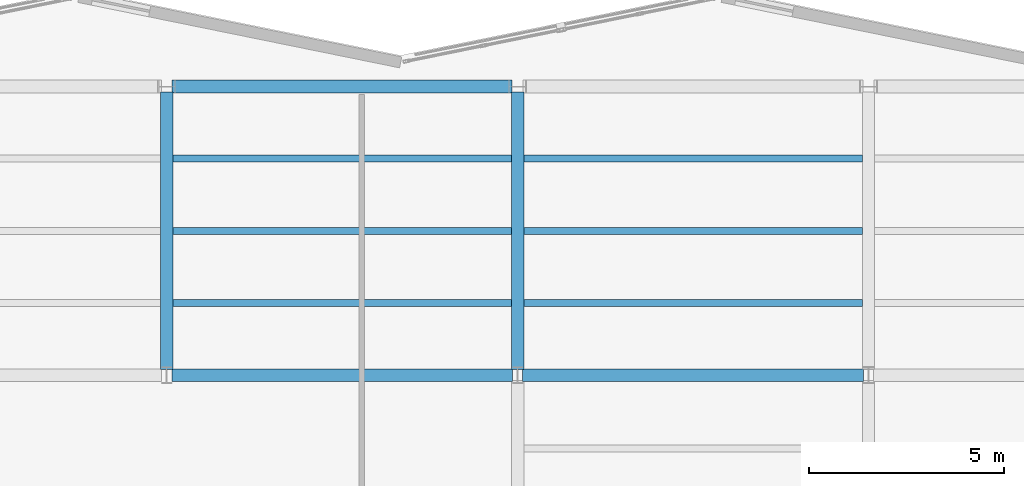
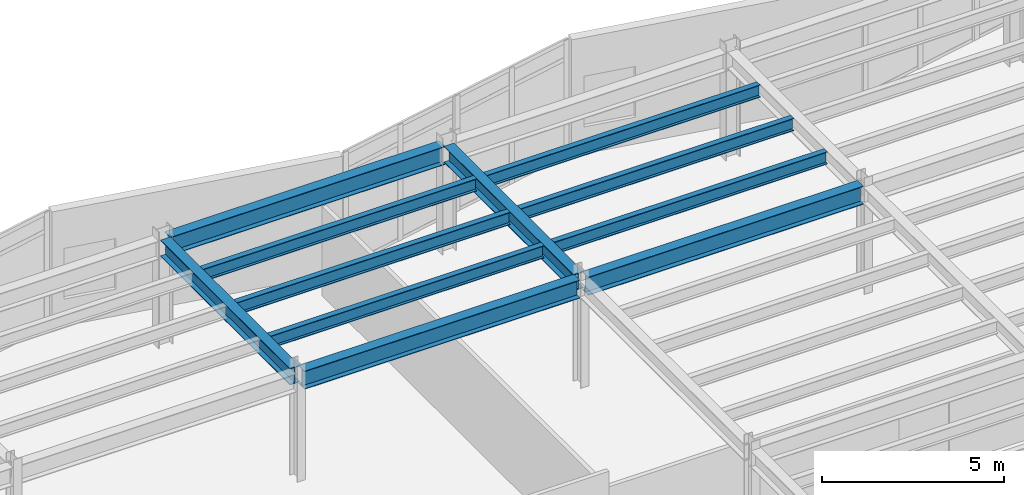
# One storey, part 15 of 46: 11 beams.
"""IFC4 building model written with IfcOpenShell, lengths in metres."""

from ifc_helpers import new_model, si_unit, direction, frame, origin, origin_2d, place, context, subcontext, project, spatial, i_section, extrude, material, material_profile, profile_set, type_object, element, save


model = new_model("IFC4")

# Units and contexts
model_context = context("Model", 3, precision=1e-05, world=origin(), true_north=direction((0.0, 1.0)))
body_context = subcontext(model_context, "Body", "Model", "MODEL_VIEW")
ifc_project = project(units=[si_unit("LENGTHUNIT", "METRE"), si_unit("AREAUNIT", "SQUARE_METRE"), si_unit("VOLUMEUNIT", "CUBIC_METRE"), si_unit("PLANEANGLEUNIT", "RADIAN"), si_unit("MASSUNIT", "GRAM", prefix="KILO")], contexts=[model_context])

# Site, building, storey
site_placement = place(None, origin())
site = spatial("IfcSite", under=ifc_project, at=site_placement, CompositionType="ELEMENT")
building_placement = place(site_placement, origin())
building = spatial("IfcBuilding", under=site, at=building_placement, Name="Sollismere Congress Hotel", CompositionType="ELEMENT")
storey_placement = place(building_placement, frame((0.0, 0.0, 19.5)))
storey = spatial("IfcBuildingStorey", under=building, at=storey_placement, Name="L04", CompositionType="ELEMENT", Elevation=19.5)

# Beams
ifc_material = material(Name="Steel ASTM A992 Grade 50", Category="steel")
ifc_material_profile_1 = material_profile(ifc_material, i_section(OverallWidth=0.31494140625, OverallDepth=0.551025390625, WebThickness=0.01513671875, FlangeThickness=0.0244140625, at=origin_2d()), Name="W21X122")
ifc_profile_set_1 = profile_set([ifc_material_profile_1], Name="Steel ASTM A992 Grade 50")
beam_type_1 = type_object("IfcBeamType", Name="BM-G21H", PredefinedType="BEAM", material=ifc_profile_set_1)
for number, where, z_axis, x_axis, name in (
    (1, (85.0, 95.139892578125, 3.33447265625), (0.0, 1.0, 0.0), (-1.0, 0.0, 0.0), "Beam BM-L04-2740"),
    (2, (94.0, 95.139892578125, 3.33447265625), (0.0, 1.0, 0.0), (-1.0, 0.0, 0.0), "Beam BM-L04-2745"),
):
    element("IfcBeam", number, at=place(storey_placement, frame(where, z_axis=z_axis, x_axis=x_axis)), inside=storey, type_object=beam_type_1, Name=name, PredefinedType="BEAM", context=body_context, shape_type="SweptSolid", body=[
        extrude(i_section(OverallWidth=0.31494140625, OverallDepth=0.551025390625, WebThickness=0.01513671875, FlangeThickness=0.0244140625, at=origin_2d()), origin(), (0.0, 0.0, 1.0), 7.1201171875),
    ])
ifc_material_profile_2 = material_profile(ifc_material, i_section(OverallWidth=0.324951171875, OverallDepth=0.612060546875, WebThickness=0.0126953125, FlangeThickness=0.01904296875, at=origin_2d()), Name="W24X104")
ifc_profile_set_2 = profile_set([ifc_material_profile_2], Name="Steel ASTM A992 Grade 50")
beam_type_2 = type_object("IfcBeamType", Name="BM-G24", PredefinedType="BEAM", material=ifc_profile_set_2)
for number, where, z_axis, x_axis, name in (
    (3, (85.131103515625, 95.0, 3.303955078125), (1.0, 0.0, 0.0), (0.0, 1.0, 0.0), "Beam BM-L04-2708"),
    (4, (94.131103515625, 95.0, 3.303955078125), (1.0, 0.0, 0.0), (0.0, 1.0, 0.0), "Beam BM-L04-2709"),
):
    element("IfcBeam", number, at=place(storey_placement, frame(where, z_axis=z_axis, x_axis=x_axis)), inside=storey, type_object=beam_type_2, Name=name, PredefinedType="BEAM", context=body_context, shape_type="SweptSolid", body=[
        extrude(i_section(OverallWidth=0.324951171875, OverallDepth=0.612060546875, WebThickness=0.0126953125, FlangeThickness=0.01904296875, at=origin_2d()), origin(), (0.0, 0.0, 1.0), 8.73779296875),
    ])
beam_placement = place(storey_placement, frame((85.139892578125, 102.39990234375, 3.303955078125), z_axis=(1.0, 0.0, 0.0), x_axis=(0.0, 1.0, 0.0)))
element("IfcBeam", 5, at=beam_placement, inside=storey, type_object=beam_type_2, Name="Beam BM-L04-2715", PredefinedType="BEAM", context=body_context, shape_type="SweptSolid", body=[
    extrude(i_section(OverallWidth=0.324951171875, OverallDepth=0.612060546875, WebThickness=0.0126953125, FlangeThickness=0.01904296875, at=origin_2d()), origin(), (0.0, 0.0, 1.0), 8.72021484375),
])
ifc_material_profile_3 = material_profile(ifc_material, i_section(OverallWidth=0.180908203125, OverallDepth=0.4169921875, WebThickness=0.010986328125, FlangeThickness=0.018310546875, at=origin_2d()), Name="W16X57")
ifc_profile_set_3 = profile_set([ifc_material_profile_3], Name="Steel ASTM A992 Grade 50")
beam_type_3 = type_object("IfcBeamType", Name="BM-J16", PredefinedType="JOIST", material=ifc_profile_set_3)
for number, where, z_axis, x_axis, name in (
    (6, (85.157470703125, 96.85009765625, 3.401611328125), (1.0, 0.0, 0.0), (0.0, 1.0, 0.0), "Beam BM-L04-2839"),
    (7, (85.157470703125, 98.699951171875, 3.401611328125), (1.0, 0.0, 0.0), (0.0, 1.0, 0.0), "Beam BM-L04-2840"),
    (8, (85.157470703125, 100.550048828125, 3.401611328125), (1.0, 0.0, 0.0), (0.0, 1.0, 0.0), "Beam BM-L04-2841"),
    (9, (94.157470703125, 96.85009765625, 3.401611328125), (1.0, 0.0, 0.0), (0.0, 1.0, 0.0), "Beam BM-L04-2858"),
    (10, (94.157470703125, 98.699951171875, 3.401611328125), (1.0, 0.0, 0.0), (0.0, 1.0, 0.0), "Beam BM-L04-2859"),
    (11, (94.157470703125, 100.550048828125, 3.401611328125), (1.0, 0.0, 0.0), (0.0, 1.0, 0.0), "Beam BM-L04-2860"),
):
    element("IfcBeam", number, at=place(storey_placement, frame(where, z_axis=z_axis, x_axis=x_axis)), inside=storey, type_object=beam_type_3, Name=name, PredefinedType="JOIST", context=body_context, shape_type="SweptSolid", body=[
        extrude(i_section(OverallWidth=0.180908203125, OverallDepth=0.4169921875, WebThickness=0.010986328125, FlangeThickness=0.018310546875, at=origin_2d()), origin(), (0.0, 0.0, 1.0), 8.68505859375),
    ])

save(model, "model.ifc")
